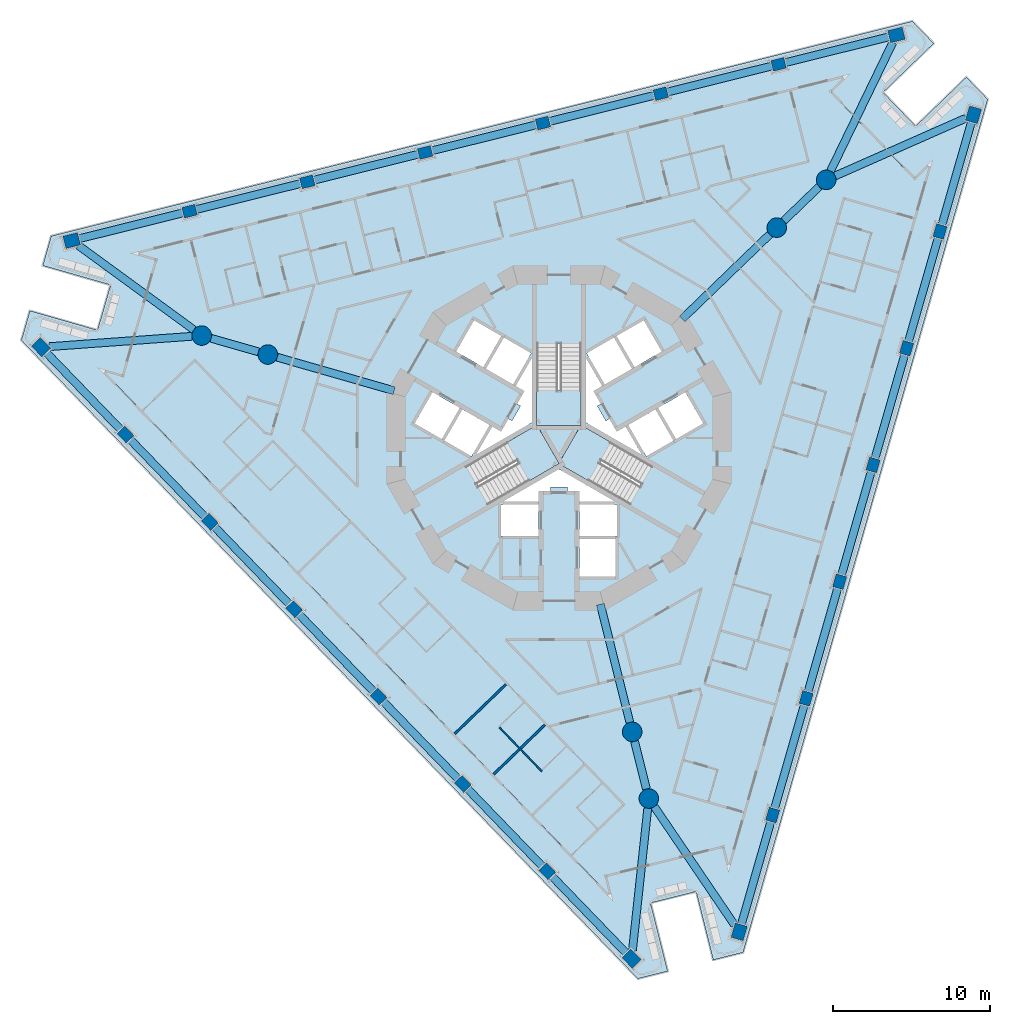
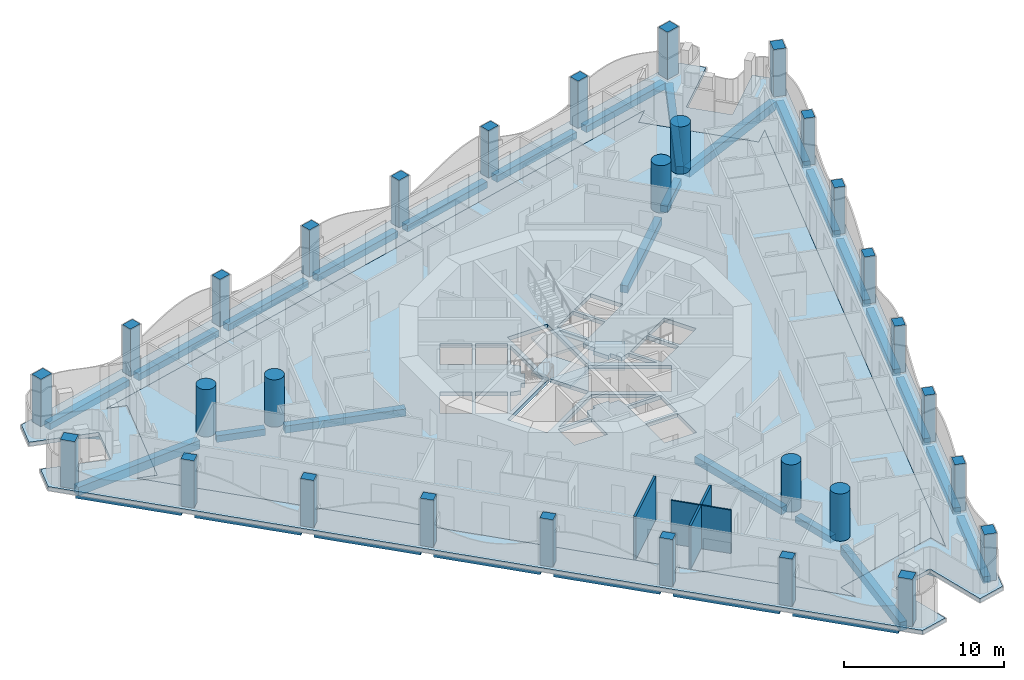
# One storey, part 1 of 18: 33 beams, 30 columns, 6 slabs, 3 walls, 3 elements without a shape of their own.
"""IFC4 building model written with IfcOpenShell, lengths in metres."""

from ifc_helpers import new_model, si_unit, direction, frame, frame_2d, origin, origin_2d, place, context, subcontext, project, spatial, polyline, rectangle, circle, outline, extrude, material, layer, layer_set, material_profile, profile_set, type_object, element, aggregate, save


model = new_model("IFC4")

# Units and contexts
model_context = context("Model", 3, precision=1e-05, world=origin(), true_north=direction((0.0, 1.0)))
body_context = subcontext(model_context, "Body", "Model", "MODEL_VIEW")
ifc_project = project(units=[si_unit("LENGTHUNIT", "METRE"), si_unit("AREAUNIT", "SQUARE_METRE"), si_unit("VOLUMEUNIT", "CUBIC_METRE"), si_unit("PLANEANGLEUNIT", "RADIAN"), si_unit("MASSUNIT", "GRAM", prefix="KILO")], contexts=[model_context])

# Site, building, storey
site_placement = place(None, origin())
site = spatial("IfcSite", under=ifc_project, at=site_placement, CompositionType="ELEMENT")
building_placement = place(site_placement, origin())
building = spatial("IfcBuilding", under=site, at=building_placement, Name="Trine Commons Tower", CompositionType="ELEMENT")
storey_placement = place(building_placement, frame((0.0, 0.0, 94.5)))
storey = spatial("IfcBuildingStorey", under=building, at=storey_placement, Name="L23", CompositionType="ELEMENT", Elevation=94.5)

# Columns
ifc_material_1 = material(Name="Concrete C70/85", Category="concrete")
ifc_material_profile_1 = material_profile(ifc_material_1, rectangle(XDim=0.85009765625, YDim=0.699951171875, at=origin_2d()), Name="RC 850x700")
ifc_profile_set_1 = profile_set([ifc_material_profile_1], Name="Concrete C70/85")
column_type_1 = type_object("IfcColumnType", Name="RC column 850x700, C70/85", PredefinedType="COLUMN", material=ifc_profile_set_1)
for number, where, z_axis, x_axis, name in (
    (1, (79.251708984375, 34.81640625, 0.0), (0.0, 0.0, 1.0), (-0.694658370459, 0.719339800339, 0.0), "Column PC3-02 L23"),
    (2, (73.86279296875, 40.396728515625, 0.0), (0.0, 0.0, 1.0), (-0.694658370459, 0.719339800339, 0.0), "Column PC3-03 L23"),
    (3, (68.473876953125, 45.977294921875, 0.0), (0.0, 0.0, 1.0), (-0.694658370459, 0.719339800339, 0.0), "Column PC3-04 L23"),
    (4, (63.0849609375, 51.5576171875, 0.0), (0.0, 0.0, 1.0), (-0.694658370459, 0.719339800339, 0.0), "Column PC3-05 L23"),
    (5, (57.696044921875, 57.137939453125, 0.0), (0.0, 0.0, 1.0), (-0.694658370459, 0.719339800339, 0.0), "Column PC3-06 L23"),
    (6, (52.30712890625, 62.71826171875, 0.0), (0.0, 0.0, 1.0), (-0.694658370459, 0.719339800339, 0.0), "Column PC3-07 L23"),
    (7, (56.3994140625, 76.98974609375, 0.0), (0.0, 0.0, 1.0), (0.970295726276, 0.2419218956, 0.0), "Column PC3-10 L23"),
    (8, (63.926513671875, 78.86669921875, 0.0), (0.0, 0.0, 1.0), (0.970295726276, 0.2419218956, 0.0), "Column PC3-11 L23"),
    (9, (71.453857421875, 80.743408203125, 0.0), (0.0, 0.0, 1.0), (0.970295726276, 0.2419218956, 0.0), "Column PC3-12 L23"),
    (10, (78.981201171875, 82.6201171875, 0.0), (0.0, 0.0, 1.0), (0.970295726276, 0.2419218956, 0.0), "Column PC3-13 L23"),
    (11, (86.50830078125, 84.496826171875, 0.0), (0.0, 0.0, 1.0), (0.970295726276, 0.2419218956, 0.0), "Column PC3-14 L23"),
    (12, (94.035400390625, 86.37353515625, 0.0), (0.0, 0.0, 1.0), (0.970295726276, 0.2419218956, 0.0), "Column PC3-15 L23"),
    (13, (104.348876953125, 75.69384765625, 0.0), (0.0, 0.0, 1.0), (0.275637355817, 0.961261695938, 0.0), "Column PC3-18 L23"),
    (14, (102.210693359375, 68.23681640625, 0.0), (0.0, 0.0, 1.0), (0.275637355817, 0.961261695938, 0.0), "Column PC3-19 L23"),
    (15, (100.072265625, 60.779541015625, 0.0), (0.0, 0.0, 1.0), (0.275637355817, 0.961261695938, 0.0), "Column PC3-20 L23"),
    (16, (97.93408203125, 53.322509765625, 0.0), (0.0, 0.0, 1.0), (0.275637355817, 0.961261695938, 0.0), "Column PC3-21 L23"),
    (17, (95.795654296875, 45.865234375, 0.0), (0.0, 0.0, 1.0), (0.275637355817, 0.961261695938, 0.0), "Column PC3-22 L23"),
    (18, (93.657470703125, 38.408203125, 0.0), (0.0, 0.0, 1.0), (0.275637355817, 0.961261695938, 0.0), "Column PC3-23 L23"),
):
    element("IfcColumn", number, at=place(storey_placement, frame(where, z_axis=z_axis, x_axis=x_axis)), inside=storey, type_object=column_type_1, Name=name, PredefinedType="COLUMN", context=body_context, shape_type="SweptSolid", body=[
        extrude(rectangle(XDim=0.85009765625, YDim=0.699951171875, at=origin_2d()), origin(), (0.0, 0.0, 1.0), 3.60009765625),
    ])
ifc_material_profile_2 = material_profile(ifc_material_1, rectangle(XDim=0.949951171875, YDim=0.800048828125, at=origin_2d()), Name="RC 950x800")
ifc_profile_set_2 = profile_set([ifc_material_profile_2], Name="Concrete C70/85")
column_type_2 = type_object("IfcColumnType", Name="RC column 950x800, C70/85", PredefinedType="COLUMN", material=ifc_profile_set_2)
for number, where, z_axis, x_axis, name in (
    (19, (84.640625, 29.236083984375, 0.0), (0.0, 0.0, 1.0), (-0.694658370459, 0.719339800339, 0.0), "Column PC3-01 L23"),
    (20, (46.918212890625, 68.298583984375, 0.0), (0.0, 0.0, 1.0), (-0.694658370459, 0.719339800339, 0.0), "Column PC3-08 L23"),
    (21, (48.872314453125, 75.113037109375, 0.0), (0.0, 0.0, 1.0), (0.970295726276, 0.2419218956, 0.0), "Column PC3-09 L23"),
    (22, (101.562744140625, 88.250244140625, 0.0), (0.0, 0.0, 1.0), (0.970295726276, 0.2419218956, 0.0), "Column PC3-16 L23"),
    (23, (106.4873046875, 83.15087890625, 0.0), (0.0, 0.0, 1.0), (0.275637355817, 0.961261695938, 0.0), "Column PC3-17 L23"),
    (24, (91.51904296875, 30.950927734375, 0.0), (0.0, 0.0, 1.0), (0.275637355817, 0.961261695938, 0.0), "Column PC3-24 L23"),
):
    element("IfcColumn", number, at=place(storey_placement, frame(where, z_axis=z_axis, x_axis=x_axis)), inside=storey, type_object=column_type_2, Name=name, PredefinedType="COLUMN", context=body_context, shape_type="SweptSolid", body=[
        extrude(rectangle(XDim=0.949951171875, YDim=0.800048828125, at=origin_2d()), origin(), (0.0, 0.0, 1.0), 3.60009765625),
    ])
ifc_material_profile_3 = material_profile(ifc_material_1, circle(Radius=0.625, at=origin_2d()), Name="RC round 1250")
ifc_profile_set_3 = profile_set([ifc_material_profile_3], Name="Concrete C70/85")
column_type_3 = type_object("IfcColumnType", Name="RC round column 1250 mm, C70/85", PredefinedType="COLUMN", material=ifc_profile_set_3)
for number, where, z_axis, x_axis, name in (
    (25, (84.6806640625, 43.726806640625, 0.0), (0.0, 0.0, 1.0), (1.0, 0.0, 0.0), "Column WC3-1 L23"),
    (26, (85.742919921875, 39.4658203125, 0.0), (0.0, 0.0, 1.0), (1.0, 0.0, 0.0), "Column WC3-2 L23"),
    (27, (93.917724609375, 75.940185546875, 0.0), (0.0, 0.0, 1.0), (1.0, 0.0, 0.0), "Column WC3-3 L23"),
    (28, (97.07666015625, 78.99072265625, 0.0), (0.0, 0.0, 1.0), (1.0, 0.0, 0.0), "Column WC3-4 L23"),
    (29, (61.401611328125, 67.8330078125, 0.0), (0.0, 0.0, 1.0), (1.0, 0.0, 0.0), "Column WC3-5 L23"),
    (30, (57.180419921875, 69.04345703125, 0.0), (0.0, 0.0, 1.0), (1.0, 0.0, 0.0), "Column WC3-6 L23"),
):
    element("IfcColumn", number, at=place(storey_placement, frame(where, z_axis=z_axis, x_axis=x_axis)), inside=storey, type_object=column_type_3, Name=name, PredefinedType="COLUMN", context=body_context, shape_type="SweptSolid", body=[
        extrude(circle(Radius=0.625, at=origin_2d()), origin(), (0.0, 0.0, 1.0), 3.60009765625),
    ])

# Beams
ifc_material_2 = material(Name="Concrete C50/60", Category="concrete")
ifc_material_profile_4 = material_profile(ifc_material_2, rectangle(XDim=0.5, YDim=0.5, at=origin_2d()), Name="RC 500x500")
ifc_profile_set_4 = profile_set([ifc_material_profile_4], Name="Concrete C50/60")
beam_type_1 = type_object("IfcBeamType", Name="RC beam 500x500, C50/60", PredefinedType="BEAM", material=ifc_profile_set_4)
beam_1_placement = place(storey_placement, frame((84.310791015625, 29.57763671875, -0.550048828125), z_axis=(-0.694663760793, 0.719334594915, 0.0), x_axis=(-0.719334594915, -0.694663760793, 0.0)))
element("IfcBeam", 31, at=beam_1_placement, inside=storey, type_object=beam_type_1, Name="Beam EB3-01 L23", PredefinedType="BEAM", context=body_context, shape_type="SweptSolid", body=[
    extrude(rectangle(XDim=0.5, YDim=0.5, at=origin_2d()), origin(), (0.0, 0.0, 1.0), 6.85791015625),
])
for number, where, z_axis, x_axis, name in (
    (32, (78.95654296875, 35.1220703125, -0.550048828125), (-0.694664521959, 0.719333859854, 0.0), (-0.719333859854, -0.694664521959, 0.0), "Beam EB3-02 L23"),
    (33, (73.567626953125, 40.702392578125, -0.550048828125), (-0.694664521959, 0.719333859854, 0.0), (-0.719333859854, -0.694664521959, 0.0), "Beam EB3-03 L23"),
    (34, (68.1787109375, 46.282958984375, -0.550048828125), (-0.694664521959, 0.719333859854, 0.0), (-0.719333859854, -0.694664521959, 0.0), "Beam EB3-04 L23"),
    (35, (62.789794921875, 51.86328125, -0.550048828125), (-0.694664521959, 0.719333859854, 0.0), (-0.719333859854, -0.694664521959, 0.0), "Beam EB3-05 L23"),
    (36, (57.40087890625, 57.443603515625, -0.550048828125), (-0.694664521959, 0.719333859854, 0.0), (-0.719333859854, -0.694664521959, 0.0), "Beam EB3-06 L23"),
):
    element("IfcBeam", number, at=place(storey_placement, frame(where, z_axis=z_axis, x_axis=x_axis)), inside=storey, type_object=beam_type_1, Name=name, PredefinedType="BEAM", context=body_context, shape_type="SweptSolid", body=[
        extrude(rectangle(XDim=0.5, YDim=0.5, at=origin_2d()), origin(), (0.0, 0.0, 1.0), 6.90771484375),
    ])
for number, where, z_axis, x_axis, name in (
    (37, (52.011962890625, 63.02392578125, -0.550048828125), (-0.694645339139, 0.71935238431, 0.0), (-0.71935238431, -0.694645339139, 0.0), "Beam EB3-07 L23"),
    (38, (49.3330078125, 75.22802734375, -0.550048828125), (0.970299359004, 0.241907325057, 0.0), (-0.241907325057, 0.970299359004, 0.0), "Beam EB3-08 L23"),
):
    element("IfcBeam", number, at=place(storey_placement, frame(where, z_axis=z_axis, x_axis=x_axis)), inside=storey, type_object=beam_type_1, Name=name, PredefinedType="BEAM", context=body_context, shape_type="SweptSolid", body=[
        extrude(rectangle(XDim=0.5, YDim=0.5, at=origin_2d()), origin(), (0.0, 0.0, 1.0), 6.857666015625),
    ])
beam_2_placement = place(storey_placement, frame((56.811767578125, 77.092529296875, -0.550048828125), z_axis=(0.970285783578, 0.241961770093, 0.0), x_axis=(-0.241961770093, 0.970285783578, 0.0)))
element("IfcBeam", 39, at=beam_2_placement, inside=storey, type_object=beam_type_1, Name="Beam EB3-09 L23", PredefinedType="BEAM", context=body_context, shape_type="SweptSolid", body=[
    extrude(rectangle(XDim=0.5, YDim=0.5, at=origin_2d()), origin(), (0.0, 0.0, 1.0), 6.90771484375),
])
for number, where, z_axis, x_axis, name in (
    (40, (64.339111328125, 78.969482421875, -0.550048828125), (0.970302376924, 0.241895219745, 0.0), (-0.241895219745, 0.970302376924, 0.0), "Beam EB3-10 L23"),
    (41, (71.8662109375, 80.84619140625, -0.550048828125), (0.970294080751, 0.241928495346, 0.0), (-0.241928495346, 0.970294080751, 0.0), "Beam EB3-11 L23"),
    (42, (79.3935546875, 82.722900390625, -0.550048828125), (0.970294080751, 0.241928495346, 0.0), (-0.241928495346, 0.970294080751, 0.0), "Beam EB3-12 L23"),
    (43, (86.920654296875, 84.599609375, -0.550048828125), (0.970294080751, 0.241928495346, 0.0), (-0.241928495346, 0.970294080751, 0.0), "Beam EB3-13 L23"),
):
    element("IfcBeam", number, at=place(storey_placement, frame(where, z_axis=z_axis, x_axis=x_axis)), inside=storey, type_object=beam_type_1, Name=name, PredefinedType="BEAM", context=body_context, shape_type="SweptSolid", body=[
        extrude(rectangle(XDim=0.5, YDim=0.5, at=origin_2d()), origin(), (0.0, 0.0, 1.0), 6.907470703125),
    ])
for number, where, z_axis, x_axis, name in (
    (44, (94.447998046875, 86.476318359375, -0.550048828125), (0.970288918196, 0.241949199679, 0.0), (-0.241949199679, 0.970288918196, 0.0), "Beam EB3-14 L23"),
    (45, (106.356201171875, 82.6943359375, -0.550048828125), (-0.275623797229, -0.961265583697, 0.0), (0.961265583697, -0.275623797229, 0.0), "Beam EB3-15 L23"),
):
    element("IfcBeam", number, at=place(storey_placement, frame(where, z_axis=z_axis, x_axis=x_axis)), inside=storey, type_object=beam_type_1, Name=name, PredefinedType="BEAM", context=body_context, shape_type="SweptSolid", body=[
        extrude(rectangle(XDim=0.5, YDim=0.5, at=origin_2d()), origin(), (0.0, 0.0, 1.0), 6.857666015625),
    ])
for number, where, z_axis, x_axis, name in (
    (46, (104.231689453125, 75.285400390625, -0.550048828125), (-0.275640588881, -0.961260768866, 0.0), (0.961260768866, -0.275640588881, 0.0), "Beam EB3-16 L23"),
    (47, (102.093505859375, 67.828125, -0.550048828125), (-0.275640588881, -0.961260768866, 0.0), (0.961260768866, -0.275640588881, 0.0), "Beam EB3-17 L23"),
    (48, (99.955078125, 60.37109375, -0.550048828125), (-0.275640588881, -0.961260768866, 0.0), (0.961260768866, -0.275640588881, 0.0), "Beam EB3-18 L23"),
    (49, (97.81689453125, 52.913818359375, -0.550048828125), (-0.275640588881, -0.961260768866, 0.0), (0.961260768866, -0.275640588881, 0.0), "Beam EB3-19 L23"),
    (50, (95.6787109375, 45.456787109375, -0.550048828125), (-0.275673246186, -0.961251403816, 0.0), (0.961251403816, -0.275673246186, 0.0), "Beam EB3-20 L23"),
):
    element("IfcBeam", number, at=place(storey_placement, frame(where, z_axis=z_axis, x_axis=x_axis)), inside=storey, type_object=beam_type_1, Name=name, PredefinedType="BEAM", context=body_context, shape_type="SweptSolid", body=[
        extrude(rectangle(XDim=0.5, YDim=0.5, at=origin_2d()), origin(), (0.0, 0.0, 1.0), 6.90771484375),
    ])
beam_3_placement = place(storey_placement, frame((93.540283203125, 37.99951171875, -0.550048828125), z_axis=(-0.275666126975, -0.961253445476, 0.0), x_axis=(0.961253445476, -0.275666126975, 0.0)))
element("IfcBeam", 51, at=beam_3_placement, inside=storey, type_object=beam_type_1, Name="Beam EB3-21 L23", PredefinedType="BEAM", context=body_context, shape_type="SweptSolid", body=[
    extrude(rectangle(XDim=0.5, YDim=0.5, at=origin_2d()), origin(), (0.0, 0.0, 1.0), 6.857421875),
])
beam_4_placement = place(storey_placement, frame((84.831787109375, 43.12109375, -0.550048828125), z_axis=(0.241895853777, -0.97030221886, 0.0), x_axis=(0.97030221886, 0.241895853777, 0.0)))
element("IfcBeam", 52, at=beam_4_placement, inside=storey, type_object=beam_type_1, Name="Beam RB3-02 L23", PredefinedType="BEAM", context=body_context, shape_type="SweptSolid", body=[
    extrude(rectangle(XDim=0.5, YDim=0.5, at=origin_2d()), origin(), (0.0, 0.0, 1.0), 3.142822265625),
])
beam_5_placement = place(storey_placement, frame((94.366943359375, 76.3740234375, -0.550048828125), z_axis=(0.719314434863, 0.694684636218, 0.0), x_axis=(-0.694684636218, 0.719314434863, 0.0)))
element("IfcBeam", 53, at=beam_5_placement, inside=storey, type_object=beam_type_1, Name="Beam RB3-04 L23", PredefinedType="BEAM", context=body_context, shape_type="SweptSolid", body=[
    extrude(rectangle(XDim=0.5, YDim=0.5, at=origin_2d()), origin(), (0.0, 0.0, 1.0), 3.142333984375),
])
beam_6_placement = place(storey_placement, frame((60.80126953125, 68.005126953125, -0.550048828125), z_axis=(-0.961274333375, 0.275593280026, 0.0), x_axis=(-0.275593280026, -0.961274333375, 0.0)))
element("IfcBeam", 54, at=beam_6_placement, inside=storey, type_object=beam_type_1, Name="Beam RB3-06 L23", PredefinedType="BEAM", context=body_context, shape_type="SweptSolid", body=[
    extrude(rectangle(XDim=0.5, YDim=0.5, at=origin_2d()), origin(), (0.0, 0.0, 1.0), 3.14208984375),
])
ifc_material_profile_5 = material_profile(ifc_material_2, rectangle(XDim=0.5, YDim=0.550048828125, at=origin_2d()), Name="RC 500x550")
ifc_profile_set_5 = profile_set([ifc_material_profile_5], Name="Concrete C50/60")
beam_type_2 = type_object("IfcBeamType", Name="RC beam 500x550, C50/60", PredefinedType="BEAM", material=ifc_profile_set_5)
beam_7_placement = place(storey_placement, frame((82.648681640625, 51.876708984375, -0.574951171875), z_axis=(0.241937131507, -0.970291927411, 0.0), x_axis=(0.970291927411, 0.241937131507, 0.0)))
element("IfcBeam", 55, at=beam_7_placement, inside=storey, type_object=beam_type_2, Name="Beam RB3-01 L23", PredefinedType="BEAM", context=body_context, shape_type="SweptSolid", body=[
    extrude(rectangle(XDim=0.5, YDim=0.550048828125, at=origin_2d()), origin(), (0.0, 0.0, 1.0), 7.775146484375),
])
beam_8_placement = place(storey_placement, frame((87.875732421875, 70.105712890625, -0.574951171875), z_axis=(0.719355467287, 0.694642146493, 0.0), x_axis=(-0.694642146493, 0.719355467287, 0.0)))
element("IfcBeam", 56, at=beam_8_placement, inside=storey, type_object=beam_type_2, Name="Beam RB3-03 L23", PredefinedType="BEAM", context=body_context, shape_type="SweptSolid", body=[
    extrude(rectangle(XDim=0.5, YDim=0.550048828125, at=origin_2d()), origin(), (0.0, 0.0, 1.0), 7.774658203125),
])
beam_9_placement = place(storey_placement, frame((69.4755859375, 65.517822265625, -0.574951171875), z_axis=(-0.961260445822, 0.275641715452, 0.0), x_axis=(-0.275641715452, -0.961260445822, 0.0)))
element("IfcBeam", 57, at=beam_9_placement, inside=storey, type_object=beam_type_2, Name="Beam RB3-05 L23", PredefinedType="BEAM", context=body_context, shape_type="SweptSolid", body=[
    extrude(rectangle(XDim=0.5, YDim=0.550048828125, at=origin_2d()), origin(), (0.0, 0.0, 1.0), 7.77490234375),
])
ifc_material_profile_6 = material_profile(ifc_material_2, rectangle(XDim=0.5, YDim=0.64990234375, at=origin_2d()), Name="RC 500x650")
ifc_profile_set_6 = profile_set([ifc_material_profile_6], Name="Concrete C50/60")
beam_type_3 = type_object("IfcBeamType", Name="RC beam 500x650, C50/60", PredefinedType="BEAM", material=ifc_profile_set_6)
for number, where, z_axis, x_axis, name in (
    (58, (47.437744140625, 68.33642578125, -0.625), (0.997376868149, 0.07238358157, 0.0), (-0.07238358157, 0.997376868149, 0.0), "Beam CB3-01 L23"),
    (59, (49.29296875, 74.8056640625, -0.625), (0.807466452888, -0.589913491506, 0.0), (0.589913491506, 0.807466452888, 0.0), "Beam CB3-02 L23"),
    (60, (101.33544921875, 87.781494140625, -0.625), (-0.435985897384, -0.899953497289, 0.0), (0.899953497289, -0.435985897384, 0.0), "Beam CB3-03 L23"),
    (61, (106.0107421875, 82.940185546875, -0.625), (-0.914616807383, -0.404321772419, 0.0), (0.404321772419, -0.914616807383, 0.0), "Beam CB3-04 L23"),
):
    element("IfcBeam", number, at=place(storey_placement, frame(where, z_axis=z_axis, x_axis=x_axis)), inside=storey, type_object=beam_type_3, Name=name, PredefinedType="BEAM", context=body_context, shape_type="SweptSolid", body=[
        extrude(rectangle(XDim=0.5, YDim=0.64990234375, at=origin_2d()), origin(), (0.0, 0.0, 1.0), 9.143798828125),
    ])
beam_10_placement = place(storey_placement, frame((91.2265625, 31.382080078125, -0.625), z_axis=(-0.561374083617, 0.827562165788, 0.0), x_axis=(-0.827562165788, -0.561374083617, 0.0)))
element("IfcBeam", 62, at=beam_10_placement, inside=storey, type_object=beam_type_3, Name="Beam CB3-05 L23", PredefinedType="BEAM", context=body_context, shape_type="SweptSolid", body=[
    extrude(rectangle(XDim=0.5, YDim=0.64990234375, at=origin_2d()), origin(), (0.0, 0.0, 1.0), 9.143310546875),
])
beam_11_placement = place(storey_placement, frame((84.696533203125, 29.75390625, -0.625), z_axis=(0.107125177559, 0.994245541269, 0.0), x_axis=(-0.994245541269, 0.107125177559, 0.0)))
element("IfcBeam", 63, at=beam_11_placement, inside=storey, type_object=beam_type_3, Name="Beam CB3-06 L23", PredefinedType="BEAM", context=body_context, shape_type="SweptSolid", body=[
    extrude(rectangle(XDim=0.5, YDim=0.64990234375, at=origin_2d()), origin(), (0.0, 0.0, 1.0), 9.1435546875),
])

# Slabs
ifc_layer_1 = layer(ifc_material_2, 0.300048828125)
ifc_layer_set_1 = layer_set([ifc_layer_1], Name="Concrete C50/60")
slab_type_1 = type_object("IfcSlabType", Name="Loggia slab 300 mm, C50/60", PredefinedType="FLOOR", material=ifc_layer_set_1)
slab_1_placement = place(storey_placement, frame((0.0, 0.0, -0.300048828125)))
element("IfcSlab", 64, at=slab_1_placement, inside=storey, type_object=slab_type_1, Name="Loggia slab L23", PredefinedType="FLOOR", context=body_context, shape_type="SweptSolid", body=[
    extrude(outline(polyline([(91.764892578125, 29.632080078125), (107.394775390625, 84.13916015625), (106.0302734375, 85.552001953125), (102.793212890625, 82.426025390625), (100.709228515625, 84.583984375), (103.9462890625, 87.7099609375), (102.581787109375, 89.122802734375), (47.562744140625, 75.405029296875), (47.021240234375, 73.516845703125), (51.346923828125, 72.276611328125), (50.52001953125, 69.392822265625), (46.1943359375, 70.63330078125), (45.653076171875, 68.7451171875), (85.04248046875, 27.9560546875), (86.948486328125, 28.43115234375), (85.85986328125, 32.797607421875), (88.7705078125, 33.523193359375), (89.859375, 29.156982421875), (91.764892578125, 29.632080078125)]), holes=[polyline([(83.27587890625, 33.240478515625), (82.950439453125, 34.545654296875), (90.518798828125, 36.4326171875), (90.843994140625, 35.12744140625), (103.701416015625, 79.966796875), (102.73388671875, 79.032470703125), (97.315673828125, 84.643310546875), (98.283203125, 85.577392578125), (53.022705078125, 74.292724609375), (54.3154296875, 73.922119140625), (52.16552734375, 66.42431640625), (50.872802734375, 66.794921875), (83.27587890625, 33.240478515625)])]), origin(), (0.0, 0.0, 1.0), 0.300048828125),
])
ifc_layer_2 = layer(ifc_material_2, 0.300048828125)
ifc_layer_set_2 = layer_set([ifc_layer_2], Name="Concrete C50/60")
slab_type_2 = type_object("IfcSlabType", Name="PT flat slab 300 mm, C50/60", PredefinedType="FLOOR", material=ifc_layer_set_2)
slab_2_placement = place(storey_placement, frame((0.0, 0.0, -0.300048828125)))
element("IfcSlab", 65, at=slab_2_placement, inside=storey, type_object=slab_type_2, Name="Floor slab L23", PredefinedType="FLOOR", context=body_context, shape_type="SweptSolid", body=[
    extrude(outline(polyline([(50.872802734375, 66.794921875), (83.27587890625, 33.240478515625), (82.950439453125, 34.545654296875), (90.518798828125, 36.4326171875), (90.843994140625, 35.12744140625), (103.701416015625, 79.966796875), (102.73388671875, 79.032470703125), (97.315673828125, 84.643310546875), (98.283203125, 85.577392578125), (53.022705078125, 74.292724609375), (54.3154296875, 73.922119140625), (52.16552734375, 66.42431640625), (50.872802734375, 66.794921875)]), holes=[polyline([(76.300048828125, 56.25), (78.699951171875, 56.25), (78.699951171875, 58.25), (76.300048828125, 58.25), (76.300048828125, 56.25)]), polyline([(81.14990234375, 59.10009765625), (81.300048828125, 58.449951171875), (83.56494140625, 58.449951171875), (80.0, 60.508056640625), (76.43505859375, 58.449951171875), (78.699951171875, 58.449951171875), (78.85009765625, 59.10009765625), (79.449951171875, 59.10009765625), (79.449951171875, 59.360107421875), (80.550048828125, 59.360107421875), (80.550048828125, 59.10009765625), (81.14990234375, 59.10009765625)]), polyline([(80.0, 60.8544921875), (84.4755859375, 58.2705078125), (85.900390625, 60.73876953125), (81.425048828125, 63.32275390625), (81.425048828125, 68.490478515625), (78.574951171875, 68.490478515625), (78.574951171875, 63.32275390625), (74.099609375, 60.73876953125), (75.5244140625, 58.2705078125), (80.0, 60.8544921875)]), polyline([(73.83740234375, 64.325927734375), (72.687255859375, 62.333984375), (74.41943359375, 61.333984375), (75.5693359375, 63.325927734375), (73.83740234375, 64.325927734375)]), polyline([(71.93212890625, 65.426025390625), (70.781982421875, 63.43408203125), (72.51416015625, 62.43408203125), (73.6640625, 64.426025390625), (71.93212890625, 65.426025390625)]), polyline([(76.781005859375, 63.722900390625), (76.381103515625, 63.031005859375), (75.742919921875, 63.22607421875), (74.7099609375, 61.43798828125), (78.27490234375, 63.49609375), (78.27490234375, 67.612060546875), (77.242919921875, 65.823974609375), (77.73095703125, 65.368896484375), (77.3310546875, 64.676025390625), (77.555908203125, 64.5458984375), (77.006103515625, 63.593994140625), (76.781005859375, 63.722900390625)]), polyline([(76.4873046875, 68.916015625), (75.33740234375, 66.924072265625), (77.0693359375, 65.924072265625), (78.219482421875, 67.916015625), (76.4873046875, 68.916015625)]), polyline([(74.58203125, 70.015869140625), (73.43212890625, 68.02392578125), (75.1640625, 67.02392578125), (76.314208984375, 69.015869140625), (74.58203125, 70.015869140625)]), polyline([(81.300048828125, 53.64990234375), (83.60009765625, 53.64990234375), (83.60009765625, 56.050048828125), (81.300048828125, 56.050048828125), (81.300048828125, 53.64990234375)]), polyline([(81.300048828125, 56.25), (83.699951171875, 56.25), (83.699951171875, 58.25), (81.300048828125, 58.25), (81.300048828125, 56.25)]), polyline([(87.312744140625, 62.333984375), (86.16259765625, 64.325927734375), (84.4306640625, 63.325927734375), (85.58056640625, 61.333984375), (87.312744140625, 62.333984375)]), polyline([(89.218017578125, 63.43408203125), (88.06787109375, 65.426025390625), (86.3359375, 64.426025390625), (87.48583984375, 62.43408203125), (89.218017578125, 63.43408203125)]), polyline([(83.243896484375, 63.738037109375), (82.993896484375, 63.593994140625), (82.444091796875, 64.5458984375), (82.72705078125, 64.7099609375), (82.281005859375, 65.549072265625), (82.757080078125, 65.823974609375), (81.72509765625, 67.612060546875), (81.72509765625, 63.49609375), (85.2900390625, 61.43798828125), (84.257080078125, 63.22607421875), (83.618896484375, 63.031005859375), (83.243896484375, 63.738037109375)]), polyline([(82.9306640625, 65.924072265625), (84.66259765625, 66.924072265625), (83.5126953125, 68.916015625), (81.780517578125, 67.916015625), (82.9306640625, 65.924072265625)]), polyline([(84.8359375, 67.02392578125), (86.56787109375, 68.02392578125), (85.41796875, 70.015869140625), (83.685791015625, 69.015869140625), (84.8359375, 67.02392578125)])]), origin(), (0.0, 0.0, 1.0), 0.300048828125),
])
slab_3_placement = place(storey_placement, frame((0.0, 0.0, -0.300048828125)))
element("IfcSlab", 66, at=slab_3_placement, inside=storey, type_object=slab_type_2, Name="Floor slab L23 2", PredefinedType="FLOOR", context=body_context, shape_type="SweptSolid", body=[
    extrude(outline(polyline([(78.61328125, 63.300537109375), (80.0, 60.89892578125), (81.38671875, 63.300537109375), (78.61328125, 63.300537109375)])), origin(), (0.0, 0.0, 1.0), 0.300048828125),
])

# Stair, slab
stair_type = type_object("IfcStairType", Name="Exit stair, dog-leg, 24 risers of 150 mm", PredefinedType="HALF_TURN_STAIR", material=ifc_material_2)
stair_1_placement = place(storey_placement, origin())
stair_1 = element("IfcStair", 67, at=stair_1_placement, inside=storey, type_object=stair_type, Name="L23 Exit stair ST1A", PredefinedType="HALF_TURN_STAIR")
ifc_layer_3 = layer(ifc_material_2, 0.199951171875)
ifc_layer_set_3 = layer_set([ifc_layer_3], Name="Concrete C50/60")
slab_type_3 = type_object("IfcSlabType", Name="Stair landing slab 200 mm, C50/60", PredefinedType="LANDING", material=ifc_layer_set_3)
slab_4_placement = place(storey_placement, frame((0.0, 0.0, 1.60009765625)))
slab_4 = element("IfcSlab", 68, at=slab_4_placement, type_object=slab_type_3, Name="ST1A landing 1", PredefinedType="LANDING", context=body_context, shape_type="SweptSolid", body=[
    extrude(outline(polyline([(78.574951171875, 65.570556640625), (78.574951171875, 63.300537109375), (81.425048828125, 63.300537109375), (81.425048828125, 65.570556640625), (78.574951171875, 65.570556640625)])), origin(), (0.0, 0.0, 1.0), 0.199951171875),
])
aggregate(stair_1, [slab_4])

stair_2_placement = place(storey_placement, origin())
stair_2 = element("IfcStair", 69, at=stair_2_placement, inside=storey, type_object=stair_type, Name="L23 Exit stair ST2A", PredefinedType="HALF_TURN_STAIR")
slab_5_placement = place(storey_placement, frame((0.0, 0.0, 1.60009765625)))
slab_5 = element("IfcSlab", 70, at=slab_5_placement, type_object=slab_type_3, Name="ST2A landing 1", PredefinedType="LANDING", context=body_context, shape_type="SweptSolid", body=[
    extrude(outline(polyline([(78.05322265625, 59.730712890625), (80.019287109375, 60.86572265625), (78.59423828125, 63.333740234375), (76.628173828125, 62.19873046875), (78.05322265625, 59.730712890625)])), origin(), (0.0, 0.0, 1.0), 0.199951171875),
])
aggregate(stair_2, [slab_5])

stair_3_placement = place(storey_placement, origin())
stair_3 = element("IfcStair", 71, at=stair_3_placement, inside=storey, type_object=stair_type, Name="L23 Exit stair ST3A", PredefinedType="HALF_TURN_STAIR")
slab_6_placement = place(storey_placement, frame((0.0, 0.0, 1.60009765625)))
slab_6 = element("IfcSlab", 72, at=slab_6_placement, type_object=slab_type_3, Name="ST3A landing 1", PredefinedType="LANDING", context=body_context, shape_type="SweptSolid", body=[
    extrude(outline(polyline([(83.371826171875, 62.19873046875), (81.40576171875, 63.333740234375), (79.980712890625, 60.86572265625), (81.94677734375, 59.730712890625), (83.371826171875, 62.19873046875)])), origin(), (0.0, 0.0, 1.0), 0.199951171875),
])
aggregate(stair_3, [slab_6])

# Walls
ifc_material_3 = material(Name="Gypsum plasterboard on steel stud", Category="steel")
ifc_layer_4 = layer(ifc_material_3, 0.14990234375)
ifc_layer_set_4 = layer_set([ifc_layer_4], Name="Gypsum plasterboard on steel stud")
wall_type_1 = type_object("IfcWallType", Name="Unit and corridor wall 150 mm, EI 60", PredefinedType="PARTITIONING", material=ifc_layer_set_4)
wall_1_placement = place(storey_placement, frame((73.334716796875, 43.5927734375, 0.0), z_axis=(0.0, 0.0, 1.0), x_axis=(0.719252426756, 0.694748837067, 0.0)))
element("IfcWall", 73, at=wall_1_placement, inside=storey, type_object=wall_type_1, Name="Partition 051", PredefinedType="PARTITIONING", context=body_context, shape_type="SweptSolid", body=[
    extrude(rectangle(XDim=4.5732421875, YDim=0.14990234375, at=frame_2d((2.28662109375, 0.0))), origin(), (0.0, 0.0, 1.0), 3.300048828125),
])
wall_2_placement = place(storey_placement, frame((75.826904296875, 41.01171875, 0.0), z_axis=(0.0, 0.0, 1.0), x_axis=(0.719333374814, 0.694665024223, 0.0)))
element("IfcWall", 74, at=wall_2_placement, inside=storey, type_object=wall_type_1, Name="Partition 052", PredefinedType="PARTITIONING", context=body_context, shape_type="SweptSolid", body=[
    extrude(rectangle(XDim=4.572265625, YDim=0.14990234375, at=frame_2d((2.2861328125, 0.0))), origin(), (0.0, 0.0, 1.0), 3.300048828125),
])
ifc_layer_5 = layer(ifc_material_3, 0.10009765625)
ifc_layer_set_5 = layer_set([ifc_layer_5], Name="Gypsum plasterboard on steel stud")
wall_type_2 = type_object("IfcWallType", Name="Unit partition 100 mm, no rating", PredefinedType="PARTITIONING", material=ifc_layer_set_5)
wall_3_placement = place(storey_placement, frame((76.19580078125, 44.009033203125, 0.0), z_axis=(0.0, 0.0, 1.0), x_axis=(0.694697299155, -0.719302205298, 0.0)))
element("IfcWall", 75, at=wall_3_placement, inside=storey, type_object=wall_type_2, Name="Partition 056", PredefinedType="PARTITIONING", context=body_context, shape_type="SweptSolid", body=[
    extrude(rectangle(XDim=3.8994140625, YDim=0.10009765625, at=frame_2d((1.94970703125, 0.0))), origin(), (0.0, 0.0, 1.0), 3.300048828125),
])

save(model, "model.ifc")
